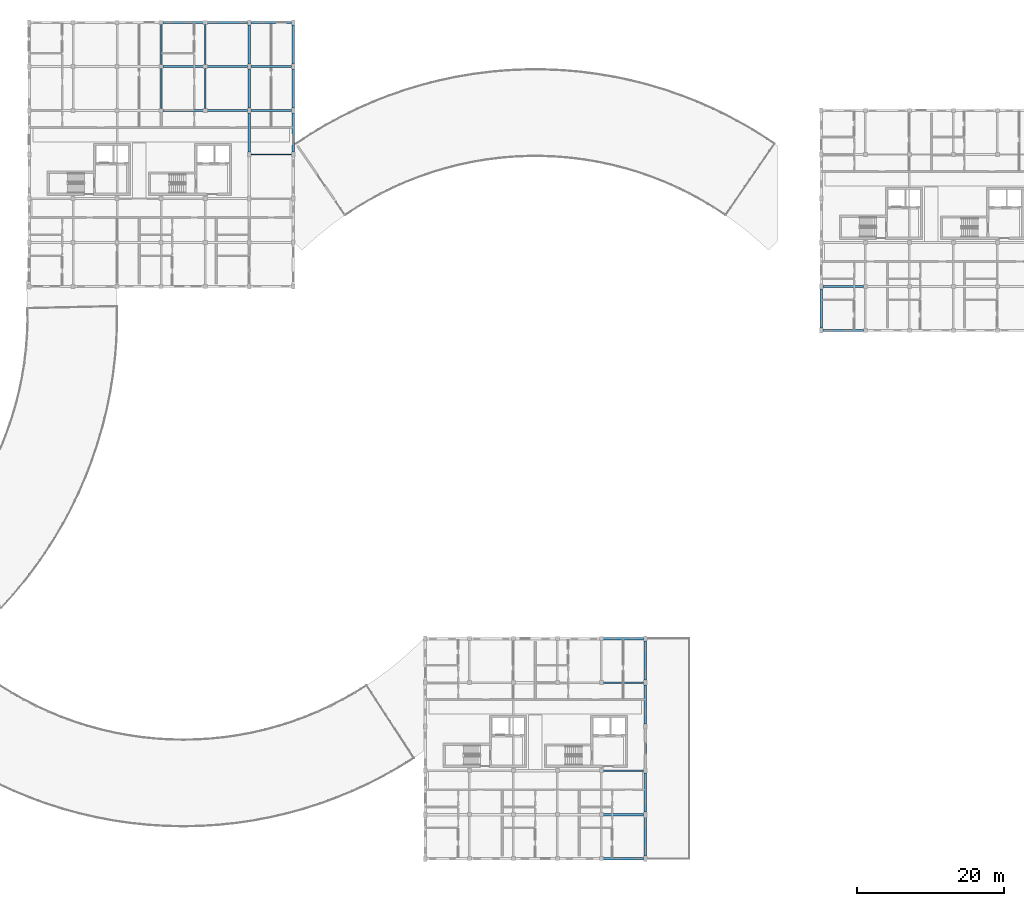
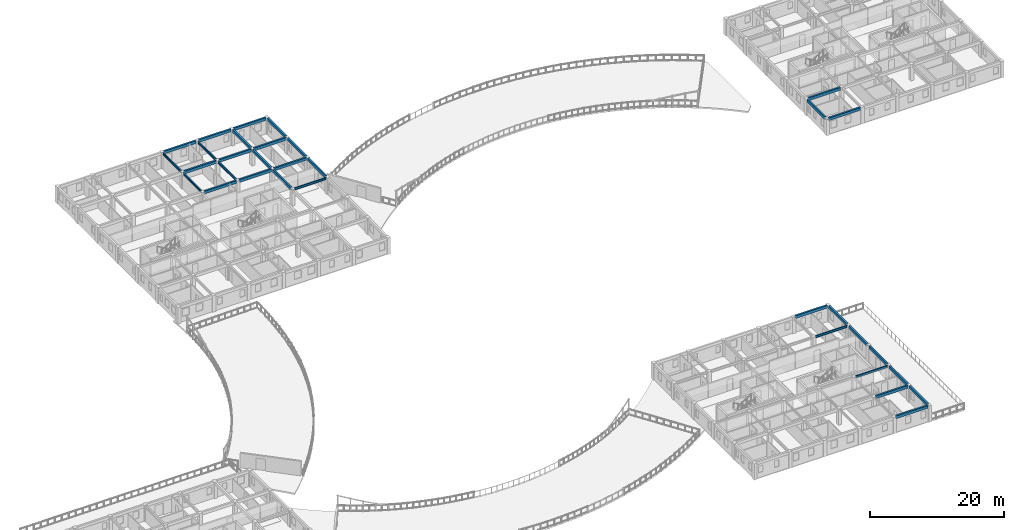
# One storey, part 15 of 58: 33 beams.
"""IFC4 building model written with IfcOpenShell, lengths in metres."""

import ifcopenshell
import ifcopenshell.guid

model = None  # the IFC model being written
_history = None  # IfcOwnerHistory: only IFC2X3 demands one
_inside = {}  # id of a spatial element -> (the spatial element, [elements in it])
_under = {}  # id of a project, library or spatial element -> (it, [spatial elements below it])
_declared = {}  # id of a project -> (the project, [libraries it declares])
_typed = {}  # id of a type object -> (the type object, [elements of that type])
_made_of = {}  # id of a material, layer set ... -> (it, [elements and type objects made of it])


def new_model(schema):
    """Start an empty IFC model of exactly this schema.

    Asked for "IFC4X3", IfcOpenShell would pick the latest addendum, in which some entities
    have other attributes; the version numbers below select the first issue.
    IFC2X3 requires an IfcOwnerHistory on every rooted entity: one is made here for all.
    """
    global model, _history
    if schema == "IFC4X3":
        model = ifcopenshell.file(schema_version=(4, 3, 0, 0))
    else:
        model = ifcopenshell.file(schema=schema)
    _inside.clear()
    _under.clear()
    _declared.clear()
    _typed.clear()
    _made_of.clear()
    _history = None
    if model.schema == "IFC2X3":
        org = make("IfcOrganization", Name="unknown")
        user = make(
            "IfcPersonAndOrganization",
            ThePerson=make("IfcPerson", FamilyName="unknown"),
            TheOrganization=org,
        )
        app = make(
            "IfcApplication",
            ApplicationDeveloper=org,
            Version="unknown",
            ApplicationFullName="unknown",
            ApplicationIdentifier="unknown",
        )
        _history = make(
            "IfcOwnerHistory",
            OwningUser=user,
            OwningApplication=app,
            ChangeAction="ADDED",
            CreationDate=0,
        )
    return model


def make(cls, **values):
    """One entity of the class cls with the attributes given. An attribute that is None is left unset."""
    return model.create_entity(
        cls, **{name: value for name, value in values.items() if value is not None}
    )


def rooted(cls, **values):
    """An entity with a GlobalId (a new one), such as an element, a storey or a relation."""
    return make(cls, GlobalId=ifcopenshell.guid.new(), OwnerHistory=_history, **values)


def si_unit(unit_type, name, prefix=None):
    """IfcSIUnit, for example si_unit("LENGTHUNIT", "METRE", prefix="MILLI")."""
    return make("IfcSIUnit", UnitType=unit_type, Prefix=prefix, Name=name)


def assignment(units):
    """IfcUnitAssignment: the units of a project."""
    return None if units is None else make("IfcUnitAssignment", Units=units)


def point(xyz):
    """IfcCartesianPoint."""
    return None if xyz is None else make("IfcCartesianPoint", Coordinates=xyz)


def direction(xyz):
    """IfcDirection."""
    return None if xyz is None else make("IfcDirection", DirectionRatios=xyz)


def frame(location, z_axis=None, x_axis=None):
    """IfcAxis2Placement3D, a coordinate frame: its origin and axes. An axis left out is left unset."""
    return make(
        "IfcAxis2Placement3D",
        Location=point(location),
        Axis=direction(z_axis),
        RefDirection=direction(x_axis),
    )


def frame_2d(location, x_axis=None):
    """IfcAxis2Placement2D, a coordinate frame in the plane: its origin and x axis."""
    return make(
        "IfcAxis2Placement2D", Location=point(location), RefDirection=direction(x_axis)
    )


def origin():
    """The frame at (0, 0, 0) with its axes left unset."""
    return frame((0.0, 0.0, 0.0))


def origin_2d():
    """The frame at (0, 0) in the plane with its x axis left unset."""
    return frame_2d((0.0, 0.0))


def place(relative_to, where):
    """IfcLocalPlacement: puts the frame where relative to a parent placement (None: the world)."""
    return make(
        "IfcLocalPlacement", PlacementRelTo=relative_to, RelativePlacement=where
    )


def context(
    kind, dimensions, precision=None, world=None, true_north=None, identifier=None
):
    """IfcGeometricRepresentationContext, for example the 3D "Model" context."""
    return make(
        "IfcGeometricRepresentationContext",
        ContextIdentifier=identifier,
        ContextType=kind,
        CoordinateSpaceDimension=dimensions,
        Precision=precision,
        WorldCoordinateSystem=world,
        TrueNorth=true_north,
    )


def subcontext(parent, identifier, kind, view, scale=None):
    """IfcGeometricRepresentationSubContext, for example "Body" below "Model"."""
    return make(
        "IfcGeometricRepresentationSubContext",
        ContextIdentifier=identifier,
        ContextType=kind,
        ParentContext=parent,
        TargetScale=scale,
        TargetView=view,
    )


def project(units=None, contexts=None):
    """IfcProject with its units and contexts."""
    return rooted(
        "IfcProject",
        Name="project",
        RepresentationContexts=contexts,
        UnitsInContext=assignment(units),
    )


def spatial(cls, under=None, at=None, **own):
    """A site, building, storey or space (cls), placed at a placement, below another one or the project."""
    s = rooted(cls, ObjectPlacement=at, **own)
    if under is not None:
        _under.setdefault(under.id(), (under, []))[1].append(s)
    return s


def profile(cls, at=None, kind="AREA", **sizes):
    """A parametric profile (cls). Its sizes go by their IFC names, for example OverallWidth=200.0."""
    return make(cls, ProfileType=kind, Position=at, **sizes)


def rectangle(**sizes):
    """IfcRectangleProfileDef."""
    return profile("IfcRectangleProfileDef", **sizes)


def i_section(**sizes):
    """IfcIShapeProfileDef."""
    return profile("IfcIShapeProfileDef", **sizes)


def extrude(swept, where, along, depth):
    """IfcExtrudedAreaSolid: the profile swept, set in the frame where, extruded along a direction by depth."""
    return make(
        "IfcExtrudedAreaSolid",
        SweptArea=swept,
        Position=where,
        ExtrudedDirection=direction(along),
        Depth=depth,
    )


def shape(context_of_items, identifier, shape_type, items):
    """IfcShapeRepresentation: the items that make up one representation, for example the "Body"."""
    return make(
        "IfcShapeRepresentation",
        ContextOfItems=context_of_items,
        RepresentationIdentifier=identifier,
        RepresentationType=shape_type,
        Items=items,
    )


def material(Name=None, Category=None):
    """IfcMaterial."""
    return make("IfcMaterial", Name=Name, Category=Category)


def material_profile(
    of_material, cross_section, Name=None, Category=None, Priority=None
):
    """IfcMaterialProfile: a cross section and its material."""
    return make(
        "IfcMaterialProfile",
        Name=Name,
        Material=of_material,
        Profile=cross_section,
        Priority=Priority,
        Category=Category,
    )


def profile_set(profiles, Name=None, composite=None):
    """IfcMaterialProfileSet."""
    return make(
        "IfcMaterialProfileSet",
        Name=Name,
        MaterialProfiles=profiles,
        CompositeProfile=composite,
    )


def made_of(thing, what):
    """Note that an element or type object is made of a material, layer set ...; save() writes the relation."""
    if what is not None:
        _made_of.setdefault(what.id(), (what, []))[1].append(thing)
    return thing


def type_object(cls, material=None, **own):
    """A type object (cls), such as IfcWallType, which elements share."""
    return made_of(rooted(cls, **own), material)


def element(
    cls,
    number,
    at=None,
    inside=None,
    cuts=None,
    type_object=None,
    material=None,
    context=None,
    identifier="Body",
    shape_type=None,
    held_by="IfcProductDefinitionShape",
    body=None,
    shapes=None,
    **own,
):
    """One element of the class cls, such as IfcWall. Its Tag is "e" and its number.

    at: its placement. inside: the storey or other place that contains it. cuts: it is an
    opening in that element (IfcRelVoidsElement). A single representation is given by context,
    identifier, shape_type and body (its items); several are given by shapes. held_by: the class
    of the entity that holds the representations. save() writes the other relations.
    """
    e = rooted(cls, Tag="e%d" % number, ObjectPlacement=at, **own)
    if body is not None:
        shapes = [shape(context, identifier, shape_type, body)]
    if shapes is not None:
        e.Representation = make(held_by, Representations=shapes)
    if inside is not None:
        _inside.setdefault(inside.id(), (inside, []))[1].append(e)
    if cuts is not None:
        rooted(
            "IfcRelVoidsElement", RelatingBuildingElement=cuts, RelatedOpeningElement=e
        )
    if type_object is not None:
        _typed.setdefault(type_object.id(), (type_object, []))[1].append(e)
    return made_of(e, material)


def aggregate(whole, parts):
    """IfcRelAggregates: a whole, such as a stair, and the parts it consists of."""
    return rooted("IfcRelAggregates", RelatingObject=whole, RelatedObjects=parts)


def save(model, path):
    """Write the relations noted so far, then the file.

    IfcRelAggregates (storeys below a building ...), IfcRelContainedInSpatialStructure (elements
    in a storey), IfcRelDefinesByType, IfcRelAssociatesMaterial and IfcRelDeclares: one each for
    every whole, place, type object, material and project.
    """
    for whole, parts in _under.values():
        aggregate(whole, parts)
    for where, things in _inside.values():
        rooted(
            "IfcRelContainedInSpatialStructure",
            RelatedElements=things,
            RelatingStructure=where,
        )
    for kind, things in _typed.values():
        rooted("IfcRelDefinesByType", RelatedObjects=things, RelatingType=kind)
    for what, things in _made_of.values():
        rooted("IfcRelAssociatesMaterial", RelatedObjects=things, RelatingMaterial=what)
    for by, libraries in _declared.values():
        rooted("IfcRelDeclares", RelatingContext=by, RelatedDefinitions=libraries)
    model.write(path)


model = new_model("IFC4")

# Units and contexts
model_context = context("Model", 3, precision=1e-05, world=origin(), true_north=direction((0.0, 1.0)))
body_context = subcontext(model_context, "Body", "Model", "MODEL_VIEW")
ifc_project = project(units=[si_unit("LENGTHUNIT", "METRE"), si_unit("AREAUNIT", "SQUARE_METRE"), si_unit("VOLUMEUNIT", "CUBIC_METRE"), si_unit("PLANEANGLEUNIT", "RADIAN"), si_unit("MASSUNIT", "GRAM", prefix="KILO"), si_unit("POWERUNIT", "WATT"), si_unit("THERMODYNAMICTEMPERATUREUNIT", "KELVIN")], contexts=[model_context])

# Site, building, storey
site_placement = place(None, origin())
site = spatial("IfcSite", under=ifc_project, at=site_placement, CompositionType="ELEMENT")
building_placement = place(site_placement, origin())
building = spatial("IfcBuilding", under=site, at=building_placement, Name="Ruvembo Vaulted Housing Court", CompositionType="ELEMENT")
storey_placement = place(building_placement, frame((0.0, 0.0, 20.5)))
storey = spatial("IfcBuildingStorey", under=building, at=storey_placement, Name="L06", CompositionType="ELEMENT", Elevation=20.5)

# Beams
ifc_material_1 = material(Name="Steel S355J2", Category="steel")
ifc_material_profile_1 = material_profile(ifc_material_1, i_section(OverallWidth=0.169921875, OverallDepth=0.360107421875, WebThickness=0.008056640625, FlangeThickness=0.0126953125, FilletRadius=0.01806640625, at=origin_2d()), Name="IPE 360")
ifc_profile_set_1 = profile_set([ifc_material_profile_1], Name="Steel S355J2")
beam_type_1 = type_object("IfcBeamType", Name="BM-ST-IPE360", PredefinedType="BEAM", material=ifc_profile_set_1)
beam_1_placement = place(storey_placement, frame((66.0, 102.260009765625, 2.74609375), z_axis=(0.0, 1.0, 0.0), x_axis=(-1.0, 0.0, 0.0)))
element("IfcBeam", 1, at=beam_1_placement, inside=storey, type_object=beam_type_1, Name="L06 Grid Beam Y #2712", PredefinedType="BEAM", context=body_context, shape_type="SweptSolid", body=[
    extrude(i_section(OverallWidth=0.169921875, OverallDepth=0.360107421875, WebThickness=0.008056640625, FlangeThickness=0.0126953125, FilletRadius=0.01806640625, at=origin_2d()), origin(), (0.0, 0.0, 1.0), 5.47998046875),
])
ifc_material_profile_2 = material_profile(ifc_material_1, i_section(OverallWidth=0.179931640625, OverallDepth=0.39990234375, WebThickness=0.008544921875, FlangeThickness=0.013427734375, FilletRadius=0.02099609375, at=origin_2d()), Name="IPE 400")
ifc_profile_set_2 = profile_set([ifc_material_profile_2], Name="Steel S355J2")
beam_type_2 = type_object("IfcBeamType", Name="BM-ST-IPE400", PredefinedType="BEAM", material=ifc_profile_set_2)
for number, where, z_axis, x_axis, name in (
    (2, (126.260009765625, 12.0, 2.72607421875), (1.0, 0.0, 0.0), (0.0, 1.0, 0.0), "L06 Grid Beam X #2575"),
    (3, (126.260009765625, 24.0, 2.72607421875), (1.0, 0.0, 0.0), (0.0, 1.0, 0.0), "L06 Grid Beam X #2587"),
):
    element("IfcBeam", number, at=place(storey_placement, frame(where, z_axis=z_axis, x_axis=x_axis)), inside=storey, type_object=beam_type_2, Name=name, PredefinedType="BEAM", context=body_context, shape_type="SweptSolid", body=[
        extrude(i_section(OverallWidth=0.179931640625, OverallDepth=0.39990234375, WebThickness=0.008544921875, FlangeThickness=0.013427734375, FilletRadius=0.02099609375, at=origin_2d()), origin(), (0.0, 0.0, 1.0), 5.5048828125),
    ])
beam_2_placement = place(storey_placement, frame((78.235107421875, 96.0, 2.72607421875), z_axis=(1.0, 0.0, 0.0), x_axis=(0.0, 1.0, 0.0)))
element("IfcBeam", 4, at=beam_2_placement, inside=storey, type_object=beam_type_2, Name="L06 Grid Beam X #2638", PredefinedType="BEAM", context=body_context, shape_type="SweptSolid", body=[
    extrude(i_section(OverallWidth=0.179931640625, OverallDepth=0.39990234375, WebThickness=0.008544921875, FlangeThickness=0.013427734375, FilletRadius=0.02099609375, at=origin_2d()), origin(), (0.0, 0.0, 1.0), 5.52978515625),
])
for number, where, z_axis, x_axis, name in (
    (5, (66.0, 108.260009765625, 2.72607421875), (0.0, 1.0, 0.0), (-1.0, 0.0, 0.0), "L06 Grid Beam Y #2713"),
    (6, (72.0, 102.260009765625, 2.72607421875), (0.0, 1.0, 0.0), (-1.0, 0.0, 0.0), "L06 Grid Beam Y #2716"),
):
    element("IfcBeam", number, at=place(storey_placement, frame(where, z_axis=z_axis, x_axis=x_axis)), inside=storey, type_object=beam_type_2, Name=name, PredefinedType="BEAM", context=body_context, shape_type="SweptSolid", body=[
        extrude(i_section(OverallWidth=0.179931640625, OverallDepth=0.39990234375, WebThickness=0.008544921875, FlangeThickness=0.013427734375, FilletRadius=0.02099609375, at=origin_2d()), origin(), (0.0, 0.0, 1.0), 5.47998046875),
    ])
ifc_material_profile_3 = material_profile(ifc_material_1, i_section(OverallWidth=0.18994140625, OverallDepth=0.449951171875, WebThickness=0.009521484375, FlangeThickness=0.0146484375, FilletRadius=0.02099609375, at=origin_2d()), Name="IPE 450")
ifc_profile_set_3 = profile_set([ifc_material_profile_3], Name="Steel S355J2")
beam_type_3 = type_object("IfcBeamType", Name="BM-ST-IPE450", PredefinedType="BEAM", material=ifc_profile_set_3)
beam_3_placement = place(storey_placement, frame((72.0, 108.260009765625, 2.700927734375), z_axis=(0.0, 1.0, 0.0), x_axis=(-1.0, 0.0, 0.0)))
element("IfcBeam", 7, at=beam_3_placement, inside=storey, type_object=beam_type_3, Name="L06 Grid Beam Y #2717", PredefinedType="BEAM", context=body_context, shape_type="SweptSolid", body=[
    extrude(i_section(OverallWidth=0.18994140625, OverallDepth=0.449951171875, WebThickness=0.009521484375, FlangeThickness=0.0146484375, FilletRadius=0.02099609375, at=origin_2d()), origin(), (0.0, 0.0, 1.0), 5.47998046875),
])
ifc_material_2 = material(Name="Concrete C35/45", Category="concrete")
ifc_material_profile_4 = material_profile(ifc_material_2, rectangle(XDim=0.300048828125, YDim=0.5, at=origin_2d()), Name="RC 300x500")
ifc_profile_set_4 = profile_set([ifc_material_profile_4], Name="Concrete C35/45")
beam_type_4 = type_object("IfcBeamType", Name="SP-RC-300x500", PredefinedType="SPANDREL", material=ifc_profile_set_4)
for number, where, z_axis, x_axis, name in (
    (8, (126.260009765625, 0.0, 2.719970703125), (1.0, 0.0, 0.0), (0.0, 1.0, 0.0), "L06 Grid Beam X #2553"),
    (9, (126.260009765625, 6.0, 2.719970703125), (1.0, 0.0, 0.0), (0.0, 1.0, 0.0), "L06 Grid Beam X #2564"),
    (10, (126.260009765625, 30.0, 2.719970703125), (1.0, 0.0, 0.0), (0.0, 1.0, 0.0), "L06 Grid Beam X #2598"),
    (11, (156.235107421875, 72.0, 2.719970703125), (1.0, 0.0, 0.0), (0.0, 1.0, 0.0), "L06 Grid Beam X #2605"),
    (12, (156.235107421875, 78.0, 2.719970703125), (1.0, 0.0, 0.0), (0.0, 1.0, 0.0), "L06 Grid Beam X #2616"),
):
    element("IfcBeam", number, at=place(storey_placement, frame(where, z_axis=z_axis, x_axis=x_axis)), inside=storey, type_object=beam_type_4, Name=name, PredefinedType="SPANDREL", context=body_context, shape_type="SweptSolid", body=[
        extrude(rectangle(XDim=0.300048828125, YDim=0.5, at=origin_2d()), origin(), (0.0, 0.0, 1.0), 5.5048828125),
    ])
beam_4_placement = place(storey_placement, frame((66.260009765625, 102.0, 2.719970703125), z_axis=(1.0, 0.0, 0.0), x_axis=(0.0, 1.0, 0.0)))
element("IfcBeam", 13, at=beam_4_placement, inside=storey, type_object=beam_type_4, Name="L06 Grid Beam X #2647", PredefinedType="SPANDREL", context=body_context, shape_type="SweptSolid", body=[
    extrude(rectangle(XDim=0.300048828125, YDim=0.5, at=origin_2d()), origin(), (0.0, 0.0, 1.0), 5.47998046875),
])
beam_5_placement = place(storey_placement, frame((72.260009765625, 102.0, 2.719970703125), z_axis=(1.0, 0.0, 0.0), x_axis=(0.0, 1.0, 0.0)))
element("IfcBeam", 14, at=beam_5_placement, inside=storey, type_object=beam_type_4, Name="L06 Grid Beam X #2648", PredefinedType="SPANDREL", context=body_context, shape_type="SweptSolid", body=[
    extrude(rectangle(XDim=0.300048828125, YDim=0.5, at=origin_2d()), origin(), (0.0, 0.0, 1.0), 5.5048828125),
])
beam_6_placement = place(storey_placement, frame((78.235107421875, 102.0, 2.719970703125), z_axis=(1.0, 0.0, 0.0), x_axis=(0.0, 1.0, 0.0)))
element("IfcBeam", 15, at=beam_6_placement, inside=storey, type_object=beam_type_4, Name="L06 Grid Beam X #2649", PredefinedType="SPANDREL", context=body_context, shape_type="SweptSolid", body=[
    extrude(rectangle(XDim=0.300048828125, YDim=0.5, at=origin_2d()), origin(), (0.0, 0.0, 1.0), 5.52978515625),
])
beam_7_placement = place(storey_placement, frame((66.260009765625, 108.0, 2.719970703125), z_axis=(1.0, 0.0, 0.0), x_axis=(0.0, 1.0, 0.0)))
element("IfcBeam", 16, at=beam_7_placement, inside=storey, type_object=beam_type_4, Name="L06 Grid Beam X #2658", PredefinedType="SPANDREL", context=body_context, shape_type="SweptSolid", body=[
    extrude(rectangle(XDim=0.300048828125, YDim=0.5, at=origin_2d()), origin(), (0.0, 0.0, 1.0), 5.47998046875),
])
beam_8_placement = place(storey_placement, frame((72.260009765625, 108.0, 2.719970703125), z_axis=(1.0, 0.0, 0.0), x_axis=(0.0, 1.0, 0.0)))
element("IfcBeam", 17, at=beam_8_placement, inside=storey, type_object=beam_type_4, Name="L06 Grid Beam X #2659", PredefinedType="SPANDREL", context=body_context, shape_type="SweptSolid", body=[
    extrude(rectangle(XDim=0.300048828125, YDim=0.5, at=origin_2d()), origin(), (0.0, 0.0, 1.0), 5.5048828125),
])
beam_9_placement = place(storey_placement, frame((78.235107421875, 108.0, 2.719970703125), z_axis=(1.0, 0.0, 0.0), x_axis=(0.0, 1.0, 0.0)))
element("IfcBeam", 18, at=beam_9_placement, inside=storey, type_object=beam_type_4, Name="L06 Grid Beam X #2660", PredefinedType="SPANDREL", context=body_context, shape_type="SweptSolid", body=[
    extrude(rectangle(XDim=0.300048828125, YDim=0.5, at=origin_2d()), origin(), (0.0, 0.0, 1.0), 5.52978515625),
])
beam_10_placement = place(storey_placement, frame((66.260009765625, 114.0, 2.719970703125), z_axis=(1.0, 0.0, 0.0), x_axis=(0.0, 1.0, 0.0)))
element("IfcBeam", 19, at=beam_10_placement, inside=storey, type_object=beam_type_4, Name="L06 Grid Beam X #2664", PredefinedType="SPANDREL", context=body_context, shape_type="SweptSolid", body=[
    extrude(rectangle(XDim=0.300048828125, YDim=0.5, at=origin_2d()), origin(), (0.0, 0.0, 1.0), 5.47998046875),
])
beam_11_placement = place(storey_placement, frame((72.260009765625, 114.0, 2.719970703125), z_axis=(1.0, 0.0, 0.0), x_axis=(0.0, 1.0, 0.0)))
element("IfcBeam", 20, at=beam_11_placement, inside=storey, type_object=beam_type_4, Name="L06 Grid Beam X #2665", PredefinedType="SPANDREL", context=body_context, shape_type="SweptSolid", body=[
    extrude(rectangle(XDim=0.300048828125, YDim=0.5, at=origin_2d()), origin(), (0.0, 0.0, 1.0), 5.5048828125),
])
beam_12_placement = place(storey_placement, frame((78.235107421875, 114.0, 2.719970703125), z_axis=(1.0, 0.0, 0.0), x_axis=(0.0, 1.0, 0.0)))
element("IfcBeam", 21, at=beam_12_placement, inside=storey, type_object=beam_type_4, Name="L06 Grid Beam X #2666", PredefinedType="SPANDREL", context=body_context, shape_type="SweptSolid", body=[
    extrude(rectangle(XDim=0.300048828125, YDim=0.5, at=origin_2d()), origin(), (0.0, 0.0, 1.0), 5.52978515625),
])
for number, where, z_axis, x_axis, name in (
    (22, (78.0, 96.3349609375, 2.719970703125), (0.0, 1.0, 0.0), (-1.0, 0.0, 0.0), "L06 Grid Beam Y #2721"),
    (23, (78.0, 102.3349609375, 2.719970703125), (0.0, 1.0, 0.0), (-1.0, 0.0, 0.0), "L06 Grid Beam Y #2722"),
    (24, (78.0, 108.3349609375, 2.719970703125), (0.0, 1.0, 0.0), (-1.0, 0.0, 0.0), "L06 Grid Beam Y #2723"),
    (25, (84.0, 96.3349609375, 2.719970703125), (0.0, 1.0, 0.0), (-1.0, 0.0, 0.0), "L06 Grid Beam Y #2727"),
    (26, (84.0, 102.3349609375, 2.719970703125), (0.0, 1.0, 0.0), (-1.0, 0.0, 0.0), "L06 Grid Beam Y #2728"),
    (27, (84.0, 108.3349609375, 2.719970703125), (0.0, 1.0, 0.0), (-1.0, 0.0, 0.0), "L06 Grid Beam Y #2729"),
    (28, (132.0, 0.3349609375, 2.719970703125), (0.0, 1.0, 0.0), (-1.0, 0.0, 0.0), "L06 Grid Beam Y #2748"),
    (29, (132.0, 6.3349609375, 2.719970703125), (0.0, 1.0, 0.0), (-1.0, 0.0, 0.0), "L06 Grid Beam Y #2749"),
    (30, (132.0, 12.3349609375, 2.719970703125), (0.0, 1.0, 0.0), (-1.0, 0.0, 0.0), "L06 Grid Beam Y #2750"),
    (31, (132.0, 18.3349609375, 2.719970703125), (0.0, 1.0, 0.0), (-1.0, 0.0, 0.0), "L06 Grid Beam Y #2751"),
    (32, (132.0, 24.3349609375, 2.719970703125), (0.0, 1.0, 0.0), (-1.0, 0.0, 0.0), "L06 Grid Beam Y #2752"),
    (33, (156.0, 72.3349609375, 2.719970703125), (0.0, 1.0, 0.0), (-1.0, 0.0, 0.0), "L06 Grid Beam Y #2753"),
):
    element("IfcBeam", number, at=place(storey_placement, frame(where, z_axis=z_axis, x_axis=x_axis)), inside=storey, type_object=beam_type_4, Name=name, PredefinedType="SPANDREL", context=body_context, shape_type="SweptSolid", body=[
        extrude(rectangle(XDim=0.300048828125, YDim=0.5, at=origin_2d()), origin(), (0.0, 0.0, 1.0), 5.330078125),
    ])

save(model, "model.ifc")
